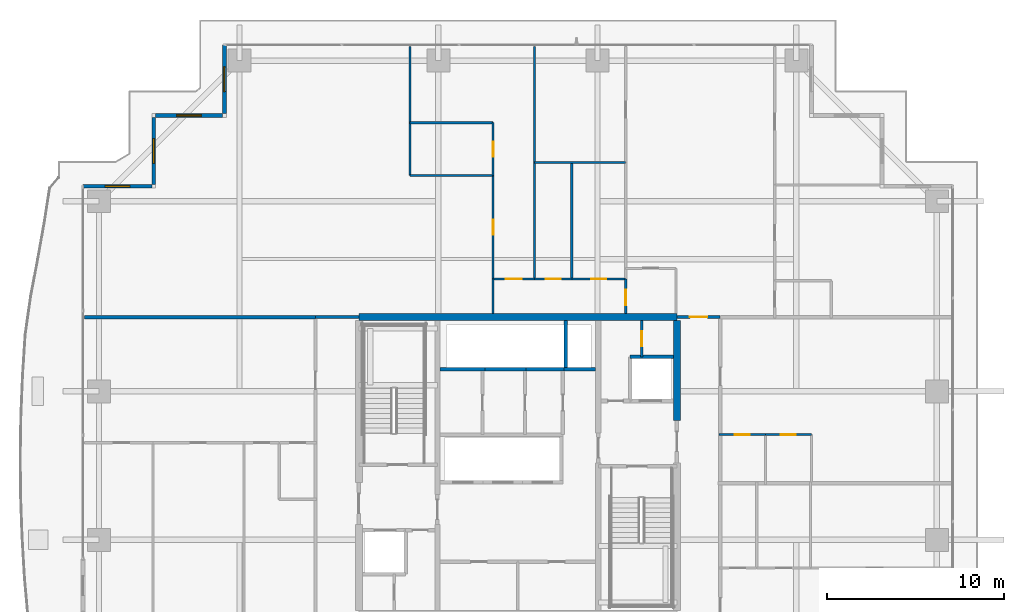
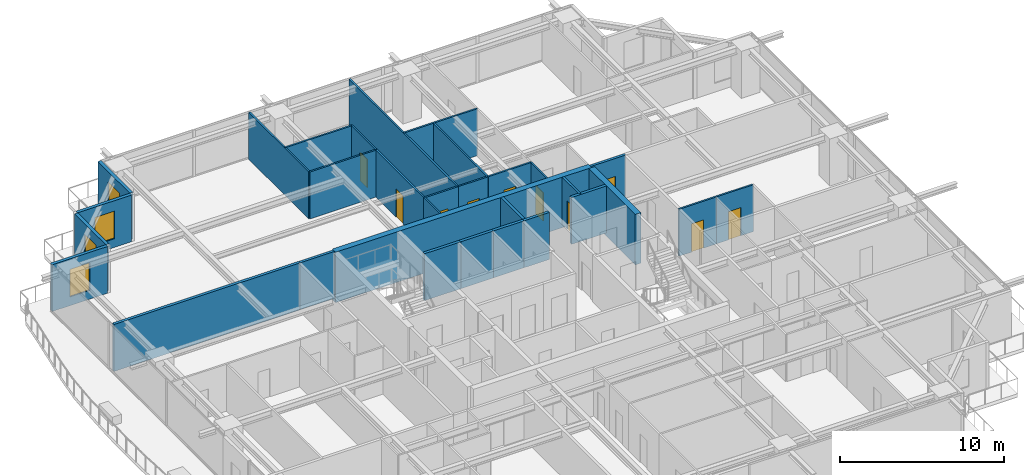
# One storey, part 26 of 35: 31 walls, 10 doors, 4 windows, 14 openings.
"""IFC4 building model written with IfcOpenShell, lengths in metres."""

from ifc_helpers import new_model, si_unit, direction, frame, frame_2d, origin, place, context, subcontext, project, spatial, rectangle, extrude, source, transform, mapped, material, layer, layer_set, type_object, element, fill, save


model = new_model("IFC4")

# Units and contexts
model_context = context("Model", 3, precision=1e-05, world=origin(), true_north=direction((0.0, 1.0)))
body_context = subcontext(model_context, "Body", "Model", "MODEL_VIEW")
ifc_project = project(units=[si_unit("LENGTHUNIT", "METRE"), si_unit("AREAUNIT", "SQUARE_METRE"), si_unit("VOLUMEUNIT", "CUBIC_METRE"), si_unit("PLANEANGLEUNIT", "RADIAN"), si_unit("MASSUNIT", "GRAM", prefix="KILO")], contexts=[model_context])

# Site, building, storey
site_placement = place(None, origin())
site = spatial("IfcSite", under=ifc_project, at=site_placement, CompositionType="ELEMENT")
building_placement = place(site_placement, origin())
building = spatial("IfcBuilding", under=site, at=building_placement, Name="Serunith Strait Residences", CompositionType="ELEMENT")
storey_placement = place(building_placement, frame((0.0, 0.0, 157.64990234375)))
storey = spatial("IfcBuildingStorey", under=building, at=storey_placement, Name="L39", CompositionType="ELEMENT", Elevation=157.64990234375)

# Wall, opening, window
ifc_material_1 = material(Name="Pale-Champagne Aluminium Insulated Panel", Category="aluminium")
ifc_layer_1 = layer(ifc_material_1, 0.219970703125, Name="Pale-Champagne Aluminium Insulated Panel")
ifc_layer_set_1 = layer_set([ifc_layer_1], Name="Pale-Champagne Aluminium Insulated Panel")
wall_type_1 = type_object("IfcWallType", Name="EW-ALUM-220", PredefinedType="ELEMENTEDWALL", material=ifc_layer_set_1)
wall_1_placement = place(storey_placement, frame((15.800048828125, 49.0, 0.0), z_axis=(0.0, 0.0, 1.0), x_axis=(0.0, -1.0, 0.0)))
wall_1 = element("IfcWall", 1, at=wall_1_placement, inside=storey, type_object=wall_type_1, Name="L39 Girih Serrated Corner Wall 12", PredefinedType="ELEMENTEDWALL", context=body_context, shape_type="SweptSolid", body=[
    extrude(rectangle(XDim=3.889892578125, YDim=0.219970703125, at=frame_2d((1.94482421875, 0.0))), origin(), (0.0, 0.0, 1.0), 3.47509765625),
])
opening_1_placement = place(wall_1_placement, frame((1.2451171875, 0.0, 0.64990234375)))
opening_1 = element("IfcOpeningElement", 2, at=opening_1_placement, cuts=wall_1, Name="Opening W-03", PredefinedType="OPENING", context=body_context, shape_type="SweptSolid", body=[
    extrude(rectangle(XDim=1.39990234375, YDim=2.050048828125, at=frame_2d((0.699951171875, 1.02490234375))), frame((0.0, 0.1201171875, 0.0), z_axis=(0.0, -1.0, 0.0), x_axis=(1.0, 0.0, 0.0)), (0.0, 0.0, 1.0), 0.239990234375),
])
ifc_material_2 = material(Name="Ceramic-Fritted Operable Aluminium Window Glass", Category="aluminium")
window_type = type_object("IfcWindowType", Name="WIN-C3", PartitioningType="SINGLE_PANEL", PredefinedType="WINDOW", material=ifc_material_2)
shared_shape_1 = source(origin(), body_context, "Body", "SweptSolid", [
    extrude(rectangle(XDim=1.39990234375, YDim=2.050048828125, at=frame_2d((0.699951171875, 1.02490234375))), frame((0.0, 0.030029296875, 0.0), z_axis=(0.0, -1.0, 0.0), x_axis=(1.0, 0.0, 0.0)), (0.0, 0.0, 1.0), 0.06005859375),
])
window_1_placement = place(opening_1_placement, origin())
window_1 = element("IfcWindow", 3, at=window_1_placement, inside=storey, type_object=window_type, Name="L39 Corner Operable Fritted Window 12", OverallHeight=2.050048828125, OverallWidth=1.39990234375, PartitioningType="SINGLE_PANEL", PredefinedType="WINDOW", context=body_context, shape_type="MappedRepresentation", body=[
    mapped(shared_shape_1, transform((0.0, 0.0, 0.0), scale=1.0)),
])
fill(opening_1, window_1)

wall_2_placement = place(storey_placement, frame((15.68994140625, 45.0, 0.0), z_axis=(0.0, 0.0, 1.0), x_axis=(-1.0, 0.0, 0.0)))
wall_2 = element("IfcWall", 4, at=wall_2_placement, inside=storey, type_object=wall_type_1, Name="L39 Girih Serrated Corner Wall 13", PredefinedType="ELEMENTEDWALL", context=body_context, shape_type="SweptSolid", body=[
    extrude(rectangle(XDim=3.780029296875, YDim=0.219970703125, at=frame_2d((1.89013671875, 0.0))), origin(), (0.0, 0.0, 1.0), 3.47509765625),
])
opening_2_placement = place(wall_2_placement, frame((1.18994140625, 0.0, 0.64990234375)))
opening_2 = element("IfcOpeningElement", 5, at=opening_2_placement, cuts=wall_2, Name="Opening W-03", PredefinedType="OPENING", context=body_context, shape_type="SweptSolid", body=[
    extrude(rectangle(XDim=1.39990234375, YDim=2.050048828125, at=frame_2d((0.699951171875, 1.02490234375))), frame((0.0, 0.1201171875, 0.0), z_axis=(0.0, -1.0, 0.0), x_axis=(1.0, 0.0, 0.0)), (0.0, 0.0, 1.0), 0.239990234375),
])
window_2_placement = place(opening_2_placement, origin())
window_2 = element("IfcWindow", 6, at=window_2_placement, inside=storey, type_object=window_type, Name="L39 Corner Operable Fritted Window 13", OverallHeight=2.050048828125, OverallWidth=1.39990234375, PartitioningType="SINGLE_PANEL", PredefinedType="WINDOW", context=body_context, shape_type="MappedRepresentation", body=[
    mapped(shared_shape_1, transform((0.0, 0.0, 0.0), scale=1.0)),
])
fill(opening_2, window_2)

wall_3_placement = place(storey_placement, frame((11.800048828125, 44.889892578125, 0.0), z_axis=(0.0, 0.0, 1.0), x_axis=(0.0, -1.0, 0.0)))
wall_3 = element("IfcWall", 7, at=wall_3_placement, inside=storey, type_object=wall_type_1, Name="L39 Girih Serrated Corner Wall 14", PredefinedType="ELEMENTEDWALL", context=body_context, shape_type="SweptSolid", body=[
    extrude(rectangle(XDim=3.77978515625, YDim=0.219970703125, at=frame_2d((1.889892578125, 0.0))), origin(), (0.0, 0.0, 1.0), 3.47509765625),
])
opening_3_placement = place(wall_3_placement, frame((1.18994140625, 0.0, 0.64990234375)))
opening_3 = element("IfcOpeningElement", 8, at=opening_3_placement, cuts=wall_3, Name="Opening W-03", PredefinedType="OPENING", context=body_context, shape_type="SweptSolid", body=[
    extrude(rectangle(XDim=1.39990234375, YDim=2.050048828125, at=frame_2d((0.699951171875, 1.02490234375))), frame((0.0, 0.1201171875, 0.0), z_axis=(0.0, -1.0, 0.0), x_axis=(1.0, 0.0, 0.0)), (0.0, 0.0, 1.0), 0.239990234375),
])
window_3_placement = place(opening_3_placement, origin())
window_3 = element("IfcWindow", 9, at=window_3_placement, inside=storey, type_object=window_type, Name="L39 Corner Operable Fritted Window 14", OverallHeight=2.050048828125, OverallWidth=1.39990234375, PartitioningType="SINGLE_PANEL", PredefinedType="WINDOW", context=body_context, shape_type="MappedRepresentation", body=[
    mapped(shared_shape_1, transform((0.0, 0.0, 0.0), scale=1.0)),
])
fill(opening_3, window_3)

wall_4_placement = place(storey_placement, frame((11.68994140625, 41.0, 0.0), z_axis=(0.0, 0.0, 1.0), x_axis=(-1.0, 0.0, 0.0)))
wall_4 = element("IfcWall", 10, at=wall_4_placement, inside=storey, type_object=wall_type_1, Name="L39 Girih Serrated Corner Wall 15", PredefinedType="ELEMENTEDWALL", context=body_context, shape_type="SweptSolid", body=[
    extrude(rectangle(XDim=3.889892578125, YDim=0.219970703125, at=frame_2d((1.94482421875, 0.0))), origin(), (0.0, 0.0, 1.0), 3.47509765625),
])
opening_4_placement = place(wall_4_placement, frame((1.2451171875, 0.0, 0.64990234375)))
opening_4 = element("IfcOpeningElement", 11, at=opening_4_placement, cuts=wall_4, Name="Opening W-03", PredefinedType="OPENING", context=body_context, shape_type="SweptSolid", body=[
    extrude(rectangle(XDim=1.39990234375, YDim=2.050048828125, at=frame_2d((0.699951171875, 1.02490234375))), frame((0.0, 0.1201171875, 0.0), z_axis=(0.0, -1.0, 0.0), x_axis=(1.0, 0.0, 0.0)), (0.0, 0.0, 1.0), 0.239990234375),
])
window_4_placement = place(opening_4_placement, origin())
window_4 = element("IfcWindow", 12, at=window_4_placement, inside=storey, type_object=window_type, Name="L39 Corner Operable Fritted Window 15", OverallHeight=2.050048828125, OverallWidth=1.39990234375, PartitioningType="SINGLE_PANEL", PredefinedType="WINDOW", context=body_context, shape_type="MappedRepresentation", body=[
    mapped(shared_shape_1, transform((0.0, 0.0, 0.0), scale=1.0)),
])
fill(opening_4, window_4)

# Wall, opening, door
ifc_material_3 = material(Name="Fire-rated masonry service closet wall", Category="masonry")
ifc_layer_2 = layer(ifc_material_3, 0.14990234375, Name="Fire-rated masonry service closet wall")
ifc_layer_set_2 = layer_set([ifc_layer_2], Name="Fire-rated masonry service closet wall")
wall_type_2 = type_object("IfcWallType", Name="IW-BOH-150", PredefinedType="PARTITIONING", material=ifc_layer_set_2)
wall_5_placement = place(storey_placement, frame((39.39990234375, 31.35009765625, 0.0), z_axis=(0.0, 0.0, 1.0), x_axis=(0.0, 1.0, 0.0)))
wall_5 = element("IfcWall", 13, at=wall_5_placement, inside=storey, type_object=wall_type_2, Name="L39 Partition Wall 013", PredefinedType="PARTITIONING", context=body_context, shape_type="SweptSolid", body=[
    extrude(rectangle(XDim=2.0498046875, YDim=0.14990234375, at=frame_2d((1.02490234375, 0.0))), origin(), (0.0, 0.0, 1.0), 3.489990234375),
])
opening_5_placement = place(wall_5_placement, frame((0.60009765625, 0.0, 0.0)))
opening_5 = element("IfcOpeningElement", 14, at=opening_5_placement, cuts=wall_5, Name="Opening FD-850", PredefinedType="OPENING", context=body_context, shape_type="SweptSolid", body=[
    extrude(rectangle(XDim=0.85009765625, YDim=2.10009765625, at=frame_2d((0.425048828125, 1.050048828125))), frame((0.0, 0.0849609375, 0.0), z_axis=(0.0, -1.0, 0.0), x_axis=(1.0, 0.0, 0.0)), (0.0, 0.0, 1.0), 0.169921875),
])
ifc_material_4 = material(Name="Powder-coated steel service closet door", Category="steel")
door_type_1 = type_object("IfcDoorType", Name="FD-BOH-850", OperationType="NOTDEFINED", PredefinedType="DOOR", material=ifc_material_4)
shared_shape_2 = source(origin(), body_context, "Body", "SweptSolid", [
    extrude(rectangle(XDim=0.85009765625, YDim=2.10009765625, at=frame_2d((0.425048828125, 1.050048828125))), frame((0.0, 0.02490234375, 0.0), z_axis=(0.0, -1.0, 0.0), x_axis=(1.0, 0.0, 0.0)), (0.0, 0.0, 1.0), 0.050048828125),
])
door_1_placement = place(opening_5_placement, origin())
door_1 = element("IfcDoor", 15, at=door_1_placement, inside=storey, type_object=door_type_1, Name="L39 Janitor Store Door", OperationType="SINGLE_SWING_RIGHT", OverallHeight=2.10009765625, OverallWidth=0.85009765625, PredefinedType="DOOR", context=body_context, shape_type="MappedRepresentation", body=[
    mapped(shared_shape_2, transform((0.0, 0.0, 0.0), scale=1.0)),
])
fill(opening_5, door_1)

# Wall
ifc_material_5 = material(Name="Fire-rated acoustic gypsum partition")
ifc_layer_3 = layer(ifc_material_5, 0.179931640625, Name="Fire-rated acoustic gypsum partition")
ifc_layer_set_3 = layer_set([ifc_layer_3], Name="Fire-rated acoustic gypsum partition")
wall_type_3 = type_object("IfcWallType", Name="IW-CORR-180", PredefinedType="PARTITIONING", material=ifc_layer_set_3)
wall_6_placement = place(storey_placement, frame((20.951904296875, 33.60009765625, 0.0), z_axis=(0.0, 0.0, 1.0), x_axis=(1.0, 0.0, 0.0)))
element("IfcWall", 16, at=wall_6_placement, inside=storey, type_object=wall_type_3, Name="L39 Partition Wall 030", PredefinedType="PARTITIONING", context=body_context, shape_type="SweptSolid", body=[
    extrude(rectangle(XDim=2.446044921875, YDim=0.179931640625, at=frame_2d((1.22314453125, 0.0))), origin(), (0.0, 0.0, 1.0), 3.489990234375),
])

# Wall, opening, door
wall_7_placement = place(storey_placement, frame((41.402099609375, 33.60009765625, 0.0), z_axis=(0.0, 0.0, 1.0), x_axis=(1.0, 0.0, 0.0)))
wall_7 = element("IfcWall", 17, at=wall_7_placement, inside=storey, type_object=wall_type_3, Name="L39 Partition Wall 031", PredefinedType="PARTITIONING", context=body_context, shape_type="SweptSolid", body=[
    extrude(rectangle(XDim=2.44580078125, YDim=0.179931640625, at=frame_2d((1.222900390625, 0.0))), origin(), (0.0, 0.0, 1.0), 3.489990234375),
])
opening_6_placement = place(wall_7_placement, frame((0.722900390625, 0.0, 0.0)))
opening_6 = element("IfcOpeningElement", 18, at=opening_6_placement, cuts=wall_7, Name="Opening D-APT1000", PredefinedType="OPENING", context=body_context, shape_type="SweptSolid", body=[
    extrude(rectangle(XDim=1.0, YDim=2.14990234375, at=frame_2d((0.5, 1.074951171875))), frame((0.0, 0.10009765625, 0.0), z_axis=(0.0, -1.0, 0.0), x_axis=(1.0, 0.0, 0.0)), (0.0, 0.0, 1.0), 0.199951171875),
])
ifc_material_6 = material(Name="Solid timber engineered fire door", Category="wood")
door_type_2 = type_object("IfcDoorType", Name="ID-APT-1000", OperationType="NOTDEFINED", PredefinedType="DOOR", material=ifc_material_6)
shared_shape_3 = source(origin(), body_context, "Body", "SweptSolid", [
    extrude(rectangle(XDim=1.0, YDim=2.14990234375, at=frame_2d((0.5, 1.074951171875))), frame((0.0, 0.02490234375, 0.0), z_axis=(0.0, -1.0, 0.0), x_axis=(1.0, 0.0, 0.0)), (0.0, 0.0, 1.0), 0.050048828125),
])
door_2_placement = place(opening_6_placement, origin())
door_2 = element("IfcDoor", 19, at=door_2_placement, inside=storey, type_object=door_type_2, Name="L39 Unit 04 Entrance Door", OperationType="SINGLE_SWING_RIGHT", OverallHeight=2.14990234375, OverallWidth=1.0, PredefinedType="DOOR", context=body_context, shape_type="MappedRepresentation", body=[
    mapped(shared_shape_3, transform((0.0, 0.0, 0.0), scale=1.0)),
])
fill(opening_6, door_2)

ifc_material_7 = material(Name="Lightweight steel-stud gypsum partition", Category="steel")
ifc_layer_4 = layer(ifc_material_7, 0.1201171875, Name="Lightweight steel-stud gypsum partition")
ifc_layer_set_4 = layer_set([ifc_layer_4], Name="Lightweight steel-stud gypsum partition")
wall_type_4 = type_object("IfcWallType", Name="IW-PART-120", PredefinedType="PARTITIONING", material=ifc_layer_set_4)
wall_8_placement = place(storey_placement, frame((38.5, 35.75, 0.0), z_axis=(0.0, 0.0, 1.0), x_axis=(0.0, -1.0, 0.0)))
wall_8 = element("IfcWall", 20, at=wall_8_placement, inside=storey, type_object=wall_type_4, Name="L39 Partition Wall 057", PredefinedType="PARTITIONING", context=body_context, shape_type="SweptSolid", body=[
    extrude(rectangle(XDim=1.949951171875, YDim=0.1201171875, at=frame_2d((0.97509765625, 0.0))), origin(), (0.0, 0.0, 1.0), 3.489990234375),
])
opening_7_placement = place(wall_8_placement, frame((0.594970703125, 0.0, 0.0)))
opening_7 = element("IfcOpeningElement", 21, at=opening_7_placement, cuts=wall_8, Name="Opening D-RM900", PredefinedType="OPENING", context=body_context, shape_type="SweptSolid", body=[
    extrude(rectangle(XDim=0.89990234375, YDim=2.10009765625, at=frame_2d((0.449951171875, 1.050048828125))), frame((0.0, 0.070068359375, 0.0), z_axis=(0.0, -1.0, 0.0), x_axis=(1.0, 0.0, 0.0)), (0.0, 0.0, 1.0), 0.14013671875),
])
ifc_material_8 = material(Name="Engineered timber flush bedroom door", Category="wood")
door_type_3 = type_object("IfcDoorType", Name="ID-ROOM-900", OperationType="NOTDEFINED", PredefinedType="DOOR", material=ifc_material_8)
shared_shape_4 = source(origin(), body_context, "Body", "SweptSolid", [
    extrude(rectangle(XDim=0.89990234375, YDim=2.10009765625, at=frame_2d((0.449951171875, 1.050048828125))), frame((0.0, 0.02490234375, 0.0), z_axis=(0.0, -1.0, 0.0), x_axis=(1.0, 0.0, 0.0)), (0.0, 0.0, 1.0), 0.050048828125),
])
door_3_placement = place(opening_7_placement, origin())
door_3 = element("IfcDoor", 22, at=door_3_placement, inside=storey, type_object=door_type_3, Name="L39 Hall W 3904 Door", OperationType="SINGLE_SWING_RIGHT", OverallHeight=2.10009765625, OverallWidth=0.89990234375, PredefinedType="DOOR", context=body_context, shape_type="MappedRepresentation", body=[
    mapped(shared_shape_4, transform((0.0, 0.0, 0.0), scale=1.0)),
])
fill(opening_7, door_3)

# Walls
wall_9_placement = place(storey_placement, frame((33.35009765625, 42.3369140625, 0.0), z_axis=(0.0, 0.0, 1.0), x_axis=(1.0, 0.0, 0.0)))
element("IfcWall", 23, at=wall_9_placement, inside=storey, type_object=wall_type_4, Name="L39 Partition Wall 060", PredefinedType="PARTITIONING", context=body_context, shape_type="SweptSolid", body=[
    extrude(rectangle(XDim=5.14990234375, YDim=0.1201171875, at=frame_2d((2.574951171875, 0.0))), origin(), (0.0, 0.0, 1.0), 3.489990234375),
])
wall_10_placement = place(storey_placement, frame((33.35009765625, 48.905029296875, 0.0), z_axis=(0.0, 0.0, 1.0), x_axis=(0.0, -1.0, 0.0)))
element("IfcWall", 24, at=wall_10_placement, inside=storey, type_object=wall_type_4, Name="L39 Partition Wall 061", PredefinedType="PARTITIONING", context=body_context, shape_type="SweptSolid", body=[
    extrude(rectangle(XDim=13.155029296875, YDim=0.1201171875, at=frame_2d((6.57763671875, 0.0))), origin(), (0.0, 0.0, 1.0), 3.489990234375),
])
wall_11_placement = place(storey_placement, frame((35.449951171875, 42.3369140625, 0.0), z_axis=(0.0, 0.0, 1.0), x_axis=(0.0, -1.0, 0.0)))
element("IfcWall", 25, at=wall_11_placement, inside=storey, type_object=wall_type_4, Name="L39 Partition Wall 062", PredefinedType="PARTITIONING", context=body_context, shape_type="SweptSolid", body=[
    extrude(rectangle(XDim=6.5869140625, YDim=0.1201171875, at=frame_2d((3.29345703125, 0.0))), origin(), (0.0, 0.0, 1.0), 3.489990234375),
])

# Wall, opening, door
wall_12_placement = place(storey_placement, frame((33.35009765625, 35.75, 0.0), z_axis=(0.0, 0.0, 1.0), x_axis=(1.0, 0.0, 0.0)))
wall_12 = element("IfcWall", 26, at=wall_12_placement, inside=storey, type_object=wall_type_4, Name="L39 Partition Wall 063", PredefinedType="PARTITIONING", context=body_context, shape_type="SweptSolid", body=[
    extrude(rectangle(XDim=2.099853515625, YDim=0.1201171875, at=frame_2d((1.0498046875, 0.0))), origin(), (0.0, 0.0, 1.0), 3.489990234375),
])
opening_8_placement = place(wall_12_placement, frame((0.625, 0.0, 0.0)))
opening_8 = element("IfcOpeningElement", 27, at=opening_8_placement, cuts=wall_12, Name="Opening D-BTH850", PredefinedType="OPENING", context=body_context, shape_type="SweptSolid", body=[
    extrude(rectangle(XDim=0.85009765625, YDim=2.10009765625, at=frame_2d((0.425048828125, 1.050048828125))), frame((0.0, 0.070068359375, 0.0), z_axis=(0.0, -1.0, 0.0), x_axis=(1.0, 0.0, 0.0)), (0.0, 0.0, 1.0), 0.14013671875),
])
ifc_material_9 = material(Name="Moisture-resistant timber bathroom door", Category="wood")
door_type_4 = type_object("IfcDoorType", Name="ID-BATH-850", OperationType="NOTDEFINED", PredefinedType="DOOR", material=ifc_material_9)
door_4_placement = place(opening_8_placement, origin())
door_4 = element("IfcDoor", 28, at=door_4_placement, inside=storey, type_object=door_type_4, Name="L39 Bathroom 3904 Door", OperationType="SINGLE_SWING_RIGHT", OverallHeight=2.10009765625, OverallWidth=0.85009765625, PredefinedType="DOOR", context=body_context, shape_type="MappedRepresentation", body=[
    mapped(shared_shape_2, transform((0.0, 0.0, 0.0), scale=1.0)),
])
fill(opening_8, door_4)

wall_13_placement = place(storey_placement, frame((35.451904296875, 35.75, 0.0), z_axis=(0.0, 0.0, 1.0), x_axis=(1.0, 0.0, 0.0)))
wall_13 = element("IfcWall", 29, at=wall_13_placement, inside=storey, type_object=wall_type_4, Name="L39 Partition Wall 064", PredefinedType="PARTITIONING", context=body_context, shape_type="SweptSolid", body=[
    extrude(rectangle(XDim=3.048095703125, YDim=0.1201171875, at=frame_2d((1.52392578125, 0.0))), origin(), (0.0, 0.0, 1.0), 3.489990234375),
])
opening_9_placement = place(wall_13_placement, frame((1.09912109375, 0.0, 0.0)))
opening_9 = element("IfcOpeningElement", 30, at=opening_9_placement, cuts=wall_13, Name="Opening D-RM850", PredefinedType="OPENING", context=body_context, shape_type="SweptSolid", body=[
    extrude(rectangle(XDim=0.85009765625, YDim=2.10009765625, at=frame_2d((0.425048828125, 1.050048828125))), frame((0.0, 0.070068359375, 0.0), z_axis=(0.0, -1.0, 0.0), x_axis=(1.0, 0.0, 0.0)), (0.0, 0.0, 1.0), 0.14013671875),
])
ifc_material_10 = material(Name="Engineered timber flush study and kitchen door", Category="wood")
door_type_5 = type_object("IfcDoorType", Name="ID-ROOM-850", OperationType="NOTDEFINED", PredefinedType="DOOR", material=ifc_material_10)
door_5_placement = place(opening_9_placement, origin())
door_5 = element("IfcDoor", 31, at=door_5_placement, inside=storey, type_object=door_type_5, Name="L39 Formal Dining Room 3904 Door", OperationType="SINGLE_SWING_LEFT", OverallHeight=2.10009765625, OverallWidth=0.85009765625, PredefinedType="DOOR", context=body_context, shape_type="MappedRepresentation", body=[
    mapped(shared_shape_2, transform((0.0, 0.0, 0.0), scale=1.0)),
])
fill(opening_9, door_5)

wall_14_placement = place(storey_placement, frame((31.0, 35.75, 0.0), z_axis=(0.0, 0.0, 1.0), x_axis=(1.0, 0.0, 0.0)))
wall_14 = element("IfcWall", 32, at=wall_14_placement, inside=storey, type_object=wall_type_4, Name="L39 Partition Wall 065", PredefinedType="PARTITIONING", context=body_context, shape_type="SweptSolid", body=[
    extrude(rectangle(XDim=2.347900390625, YDim=0.1201171875, at=frame_2d((1.173828125, 0.0))), origin(), (0.0, 0.0, 1.0), 3.489990234375),
])
opening_10_placement = place(wall_14_placement, frame((0.72412109375, 0.0, 0.0)))
opening_10 = element("IfcOpeningElement", 33, at=opening_10_placement, cuts=wall_14, Name="Opening D-RM900", PredefinedType="OPENING", context=body_context, shape_type="SweptSolid", body=[
    extrude(rectangle(XDim=0.89990234375, YDim=2.10009765625, at=frame_2d((0.449951171875, 1.050048828125))), frame((0.0, 0.070068359375, 0.0), z_axis=(0.0, -1.0, 0.0), x_axis=(1.0, 0.0, 0.0)), (0.0, 0.0, 1.0), 0.14013671875),
])
door_6_placement = place(opening_10_placement, origin())
door_6 = element("IfcDoor", 34, at=door_6_placement, inside=storey, type_object=door_type_3, Name="L39 Master Bedroom W 3904 Door", OperationType="SINGLE_SWING_RIGHT", OverallHeight=2.10009765625, OverallWidth=0.89990234375, PredefinedType="DOOR", context=body_context, shape_type="MappedRepresentation", body=[
    mapped(shared_shape_4, transform((0.0, 0.0, 0.0), scale=1.0)),
])
fill(opening_10, door_6)

# Walls
wall_15_placement = place(storey_placement, frame((26.300048828125, 44.592041015625, 0.0), z_axis=(0.0, 0.0, 1.0), x_axis=(1.0, 0.0, 0.0)))
element("IfcWall", 35, at=wall_15_placement, inside=storey, type_object=wall_type_4, Name="L39 Partition Wall 066", PredefinedType="PARTITIONING", context=body_context, shape_type="SweptSolid", body=[
    extrude(rectangle(XDim=4.699951171875, YDim=0.1201171875, at=frame_2d((2.35009765625, 0.0))), origin(), (0.0, 0.0, 1.0), 3.489990234375),
])
wall_16_placement = place(storey_placement, frame((26.300048828125, 48.905029296875, 0.0), z_axis=(0.0, 0.0, 1.0), x_axis=(0.0, -1.0, 0.0)))
element("IfcWall", 36, at=wall_16_placement, inside=storey, type_object=wall_type_4, Name="L39 Partition Wall 067", PredefinedType="PARTITIONING", context=body_context, shape_type="SweptSolid", body=[
    extrude(rectangle(XDim=7.2919921875, YDim=0.1201171875, at=frame_2d((3.64599609375, 0.0))), origin(), (0.0, 0.0, 1.0), 3.489990234375),
])
wall_17_placement = place(storey_placement, frame((26.300048828125, 41.613037109375, 0.0), z_axis=(0.0, 0.0, 1.0), x_axis=(1.0, 0.0, 0.0)))
element("IfcWall", 37, at=wall_17_placement, inside=storey, type_object=wall_type_4, Name="L39 Partition Wall 068", PredefinedType="PARTITIONING", context=body_context, shape_type="SweptSolid", body=[
    extrude(rectangle(XDim=4.699951171875, YDim=0.1201171875, at=frame_2d((2.35009765625, 0.0))), origin(), (0.0, 0.0, 1.0), 3.489990234375),
])

# Wall, opening, door
wall_18_placement = place(storey_placement, frame((31.0, 44.592041015625, 0.0), z_axis=(0.0, 0.0, 1.0), x_axis=(0.0, -1.0, 0.0)))
wall_18 = element("IfcWall", 38, at=wall_18_placement, inside=storey, type_object=wall_type_4, Name="L39 Partition Wall 069", PredefinedType="PARTITIONING", context=body_context, shape_type="SweptSolid", body=[
    extrude(rectangle(XDim=2.97900390625, YDim=0.1201171875, at=frame_2d((1.489501953125, 0.0))), origin(), (0.0, 0.0, 1.0), 3.489990234375),
])
opening_11_placement = place(wall_18_placement, frame((1.06396484375, 0.0, 0.0)))
opening_11 = element("IfcOpeningElement", 39, at=opening_11_placement, cuts=wall_18, Name="Opening D-BTH850", PredefinedType="OPENING", context=body_context, shape_type="SweptSolid", body=[
    extrude(rectangle(XDim=0.85009765625, YDim=2.10009765625, at=frame_2d((0.425048828125, 1.050048828125))), frame((0.0, 0.070068359375, 0.0), z_axis=(0.0, -1.0, 0.0), x_axis=(1.0, 0.0, 0.0)), (0.0, 0.0, 1.0), 0.14013671875),
])
door_7_placement = place(opening_11_placement, origin())
door_7 = element("IfcDoor", 40, at=door_7_placement, inside=storey, type_object=door_type_4, Name="L39 En-suite Bathroom W 3904 Door", OperationType="SINGLE_SWING_LEFT", OverallHeight=2.10009765625, OverallWidth=0.85009765625, PredefinedType="DOOR", context=body_context, shape_type="MappedRepresentation", body=[
    mapped(shared_shape_2, transform((0.0, 0.0, 0.0), scale=1.0)),
])
fill(opening_11, door_7)

wall_19_placement = place(storey_placement, frame((31.0, 41.611083984375, 0.0), z_axis=(0.0, 0.0, 1.0), x_axis=(0.0, -1.0, 0.0)))
wall_19 = element("IfcWall", 41, at=wall_19_placement, inside=storey, type_object=wall_type_4, Name="L39 Partition Wall 070", PredefinedType="PARTITIONING", context=body_context, shape_type="SweptSolid", body=[
    extrude(rectangle(XDim=5.861083984375, YDim=0.1201171875, at=frame_2d((2.9306640625, 0.0))), origin(), (0.0, 0.0, 1.0), 3.489990234375),
])
opening_12_placement = place(wall_19_placement, frame((2.5048828125, 0.0, 0.0)))
opening_12 = element("IfcOpeningElement", 42, at=opening_12_placement, cuts=wall_19, Name="Opening D-RM850", PredefinedType="OPENING", context=body_context, shape_type="SweptSolid", body=[
    extrude(rectangle(XDim=0.85009765625, YDim=2.10009765625, at=frame_2d((0.425048828125, 1.050048828125))), frame((0.0, 0.070068359375, 0.0), z_axis=(0.0, -1.0, 0.0), x_axis=(1.0, 0.0, 0.0)), (0.0, 0.0, 1.0), 0.14013671875),
])
door_8_placement = place(opening_12_placement, origin())
door_8 = element("IfcDoor", 43, at=door_8_placement, inside=storey, type_object=door_type_5, Name="L39 Wardrobe W 3904 Door", OperationType="SINGLE_SWING_RIGHT", OverallHeight=2.10009765625, OverallWidth=0.85009765625, PredefinedType="DOOR", context=body_context, shape_type="MappedRepresentation", body=[
    mapped(shared_shape_2, transform((0.0, 0.0, 0.0), scale=1.0)),
])
fill(opening_12, door_8)

# Wall
wall_20_placement = place(storey_placement, frame((31.0, 35.748046875, 0.0), z_axis=(0.0, 0.0, 1.0), x_axis=(0.0, -1.0, 0.0)))
element("IfcWall", 44, at=wall_20_placement, inside=storey, type_object=wall_type_4, Name="L39 Partition Wall 071", PredefinedType="PARTITIONING", context=body_context, shape_type="SweptSolid", body=[
    extrude(rectangle(XDim=1.947998046875, YDim=0.1201171875, at=frame_2d((0.97412109375, 0.0))), origin(), (0.0, 0.0, 1.0), 3.489990234375),
])

# Wall, opening, door
wall_21_placement = place(storey_placement, frame((49.0, 26.949951171875, 0.0), z_axis=(0.0, 0.0, 1.0), x_axis=(-1.0, 0.0, 0.0)))
wall_21 = element("IfcWall", 45, at=wall_21_placement, inside=storey, type_object=wall_type_4, Name="L39 Partition Wall 091", PredefinedType="PARTITIONING", context=body_context, shape_type="SweptSolid", body=[
    extrude(rectangle(XDim=2.60009765625, YDim=0.1201171875, at=frame_2d((1.300048828125, 0.0))), origin(), (0.0, 0.0, 1.0), 3.489990234375),
])
opening_13_placement = place(wall_21_placement, frame((0.875, 0.0, 0.0)))
opening_13 = element("IfcOpeningElement", 46, at=opening_13_placement, cuts=wall_21, Name="Opening D-RM850", PredefinedType="OPENING", context=body_context, shape_type="SweptSolid", body=[
    extrude(rectangle(XDim=0.85009765625, YDim=2.10009765625, at=frame_2d((0.425048828125, 1.050048828125))), frame((0.0, 0.070068359375, 0.0), z_axis=(0.0, -1.0, 0.0), x_axis=(1.0, 0.0, 0.0)), (0.0, 0.0, 1.0), 0.14013671875),
])
door_9_placement = place(opening_13_placement, origin())
door_9 = element("IfcDoor", 47, at=door_9_placement, inside=storey, type_object=door_type_5, Name="L39 Kitchen 3907 Door", OperationType="SINGLE_SWING_LEFT", OverallHeight=2.10009765625, OverallWidth=0.85009765625, PredefinedType="DOOR", context=body_context, shape_type="MappedRepresentation", body=[
    mapped(shared_shape_2, transform((0.0, 0.0, 0.0), scale=1.0)),
])
fill(opening_13, door_9)

wall_22_placement = place(storey_placement, frame((46.39794921875, 26.949951171875, 0.0), z_axis=(0.0, 0.0, 1.0), x_axis=(-1.0, 0.0, 0.0)))
wall_22 = element("IfcWall", 48, at=wall_22_placement, inside=storey, type_object=wall_type_4, Name="L39 Partition Wall 092", PredefinedType="PARTITIONING", context=body_context, shape_type="SweptSolid", body=[
    extrude(rectangle(XDim=2.60791015625, YDim=0.1201171875, at=frame_2d((1.303955078125, 0.0))), origin(), (0.0, 0.0, 1.0), 3.489990234375),
])
opening_14_placement = place(wall_22_placement, frame((0.87890625, 0.0, 0.0)))
opening_14 = element("IfcOpeningElement", 49, at=opening_14_placement, cuts=wall_22, Name="Opening D-BTH850", PredefinedType="OPENING", context=body_context, shape_type="SweptSolid", body=[
    extrude(rectangle(XDim=0.85009765625, YDim=2.10009765625, at=frame_2d((0.425048828125, 1.050048828125))), frame((0.0, 0.070068359375, 0.0), z_axis=(0.0, -1.0, 0.0), x_axis=(1.0, 0.0, 0.0)), (0.0, 0.0, 1.0), 0.14013671875),
])
door_10_placement = place(opening_14_placement, origin())
door_10 = element("IfcDoor", 50, at=door_10_placement, inside=storey, type_object=door_type_4, Name="L39 Bathroom 3907 Door", OperationType="SINGLE_SWING_RIGHT", OverallHeight=2.10009765625, OverallWidth=0.85009765625, PredefinedType="DOOR", context=body_context, shape_type="MappedRepresentation", body=[
    mapped(shared_shape_2, transform((0.0, 0.0, 0.0), scale=1.0)),
])
fill(opening_14, door_10)

# Walls
ifc_material_11 = material(Name="Twin-stud acoustic gypsum board partition")
ifc_layer_5 = layer(ifc_material_11, 0.199951171875, Name="Twin-stud acoustic gypsum board partition")
ifc_layer_set_5 = layer_set([ifc_layer_5], Name="Twin-stud acoustic gypsum board partition")
wall_type_5 = type_object("IfcWallType", Name="IW-PARTY-200", PredefinedType="PARTITIONING", material=ifc_layer_set_5)
wall_23_placement = place(storey_placement, frame((7.882080078125, 33.60009765625, 0.0), z_axis=(0.0, 0.0, 1.0), x_axis=(1.0, 0.0, 0.0)))
element("IfcWall", 51, at=wall_23_placement, inside=storey, type_object=wall_type_5, Name="L39 Partition Wall 025", PredefinedType="PARTITIONING", context=body_context, shape_type="SweptSolid", body=[
    extrude(rectangle(XDim=13.06787109375, YDim=0.199951171875, at=frame_2d((6.533935546875, 0.0))), origin(), (0.0, 0.0, 1.0), 3.489990234375),
])
ifc_material_12 = material(Name="Autoclaved aerated concrete blockwork", Category="masonry")
ifc_layer_6 = layer(ifc_material_12, 0.199951171875, Name="Autoclaved aerated concrete blockwork")
ifc_layer_set_6 = layer_set([ifc_layer_6], Name="Autoclaved aerated concrete blockwork")
wall_type_6 = type_object("IfcWallType", Name="IW-SHAFT-200", PredefinedType="STANDARD", material=ifc_layer_set_6)
wall_24_placement = place(storey_placement, frame((28.0, 30.64990234375, 0.0), z_axis=(0.0, 0.0, 1.0), x_axis=(1.0, 0.0, 0.0)))
element("IfcWall", 52, at=wall_24_placement, inside=storey, type_object=wall_type_6, Name="L39 PL-7 South Shaft Wall", PredefinedType="STANDARD", context=body_context, shape_type="SweptSolid", body=[
    extrude(rectangle(XDim=2.550048828125, YDim=0.199951171875, at=frame_2d((1.27490234375, 0.0))), origin(), (0.0, 0.0, 1.0), 3.489990234375),
])
wall_25_placement = place(storey_placement, frame((30.550048828125, 30.64990234375, 0.0), z_axis=(0.0, 0.0, 1.0), x_axis=(1.0, 0.0, 0.0)))
element("IfcWall", 53, at=wall_25_placement, inside=storey, type_object=wall_type_6, Name="L39 PL-8 South Shaft Wall", PredefinedType="STANDARD", context=body_context, shape_type="SweptSolid", body=[
    extrude(rectangle(XDim=2.300048828125, YDim=0.199951171875, at=frame_2d((1.14990234375, 0.0))), origin(), (0.0, 0.0, 1.0), 3.489990234375),
])
wall_26_placement = place(storey_placement, frame((32.85009765625, 30.64990234375, 0.0), z_axis=(0.0, 0.0, 1.0), x_axis=(1.0, 0.0, 0.0)))
element("IfcWall", 54, at=wall_26_placement, inside=storey, type_object=wall_type_6, Name="L39 PL-9 South Shaft Wall", PredefinedType="STANDARD", context=body_context, shape_type="SweptSolid", body=[
    extrude(rectangle(XDim=2.14990234375, YDim=0.199951171875, at=frame_2d((1.074951171875, 0.0))), origin(), (0.0, 0.0, 1.0), 3.489990234375),
])
wall_27_placement = place(storey_placement, frame((35.0, 30.64990234375, 0.0), z_axis=(0.0, 0.0, 1.0), x_axis=(1.0, 0.0, 0.0)))
element("IfcWall", 55, at=wall_27_placement, inside=storey, type_object=wall_type_6, Name="L39 SL-1 South Shaft Wall", PredefinedType="STANDARD", context=body_context, shape_type="SweptSolid", body=[
    extrude(rectangle(XDim=1.800048828125, YDim=0.199951171875, at=frame_2d((0.89990234375, 0.0))), origin(), (0.0, 0.0, 1.0), 3.489990234375),
])
wall_28_placement = place(storey_placement, frame((35.10009765625, 30.75, 0.0), z_axis=(0.0, 0.0, 1.0), x_axis=(0.0, 1.0, 0.0)))
element("IfcWall", 56, at=wall_28_placement, inside=storey, type_object=wall_type_6, Name="L39 SL-1 West Shaft Wall", PredefinedType="STANDARD", context=body_context, shape_type="SweptSolid", body=[
    extrude(rectangle(XDim=2.64990234375, YDim=0.199951171875, at=frame_2d((1.324951171875, 0.0))), origin(), (0.0, 0.0, 1.0), 3.489990234375),
])
wall_29_placement = place(storey_placement, frame((38.75, 31.35009765625, 0.0), z_axis=(0.0, 0.0, 1.0), x_axis=(1.0, 0.0, 0.0)))
element("IfcWall", 57, at=wall_29_placement, inside=storey, type_object=wall_type_6, Name="L39 Partition Wall 005", PredefinedType="STANDARD", context=body_context, shape_type="SweptSolid", body=[
    extrude(rectangle(XDim=2.449951171875, YDim=0.199951171875, at=frame_2d((1.22509765625, 0.0))), origin(), (0.0, 0.0, 1.0), 3.489990234375),
])
ifc_material_13 = material(Name="Concrete C70/85", Category="concrete")
ifc_layer_7 = layer(ifc_material_13, 0.39990234375, Name="Concrete C70/85")
ifc_layer_set_7 = layer_set([ifc_layer_7], Name="Concrete C70/85")
wall_type_7 = type_object("IfcWallType", Name="SW-400-C70", PredefinedType="SHEAR", material=ifc_layer_set_7)
wall_30_placement = place(storey_placement, frame((41.39990234375, 33.60009765625, -0.260009765625), z_axis=(0.0, 0.0, 1.0), x_axis=(-1.0, 0.0, 0.0)))
element("IfcWall", 58, at=wall_30_placement, inside=storey, type_object=wall_type_7, Name="L39 Core North Shear Wall", PredefinedType="SHEAR", context=body_context, shape_type="SweptSolid", body=[
    extrude(rectangle(XDim=18.0, YDim=0.39990234375, at=frame_2d((9.0, 0.0))), origin(), (0.0, 0.0, 1.0), 3.748046875),
])
wall_31_placement = place(storey_placement, frame((41.39990234375, 27.75, -0.260009765625), z_axis=(0.0, 0.0, 1.0), x_axis=(0.0, 1.0, 0.0)))
element("IfcWall", 59, at=wall_31_placement, inside=storey, type_object=wall_type_7, Name="L39 Core East Shear Wall North Pier", PredefinedType="SHEAR", context=body_context, shape_type="SweptSolid", body=[
    extrude(rectangle(XDim=5.64990234375, YDim=0.39990234375, at=frame_2d((2.824951171875, 0.0))), origin(), (0.0, 0.0, 1.0), 3.748046875),
])

save(model, "model.ifc")
